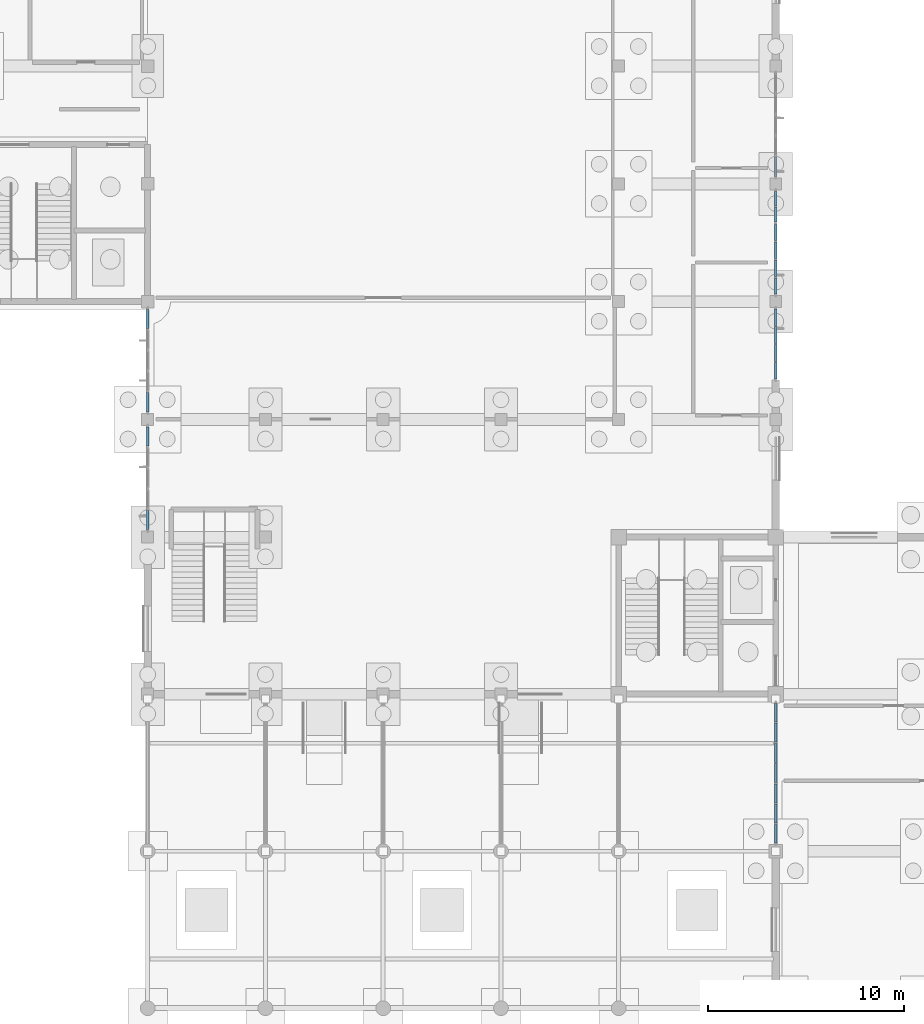
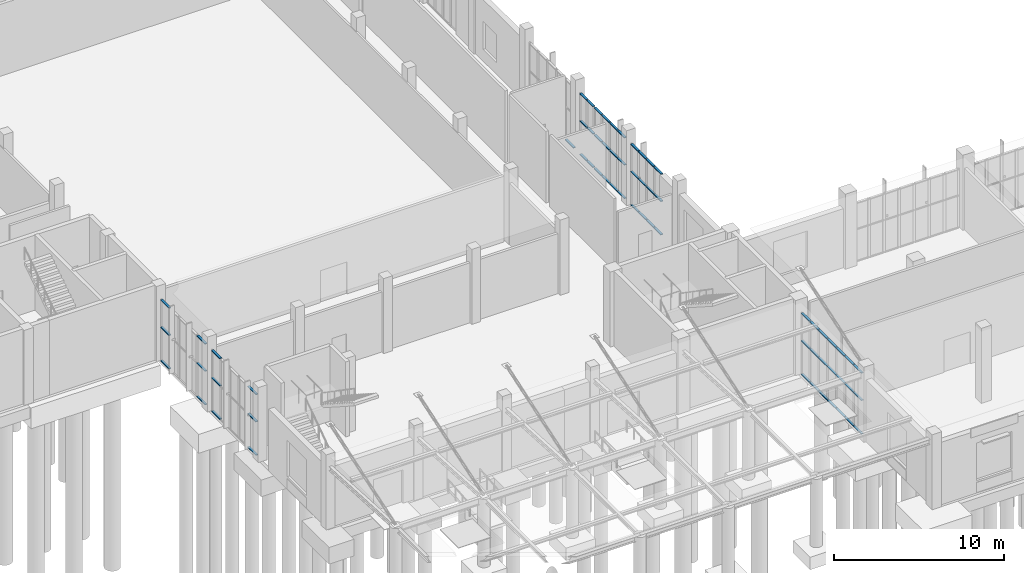
# One storey, part 22 of 69: 64 members, 7 elements without a shape of their own.
"""IFC4 building model written with IfcOpenShell, lengths in metres."""

from ifc_helpers import new_model, si_unit, direction, frame, origin, origin_2d, place, context, subcontext, project, spatial, rectangle, extrude, material, layer, layer_set, material_profile, profile_set, type_object, element, aggregate, save


model = new_model("IFC4")

# Units and contexts
model_context = context("Model", 3, precision=1e-05, world=origin(), true_north=direction((0.0, 1.0)))
body_context = subcontext(model_context, "Body", "Model", "MODEL_VIEW")
ifc_project = project(units=[si_unit("LENGTHUNIT", "METRE"), si_unit("AREAUNIT", "SQUARE_METRE"), si_unit("VOLUMEUNIT", "CUBIC_METRE"), si_unit("PLANEANGLEUNIT", "RADIAN"), si_unit("MASSUNIT", "GRAM", prefix="KILO")], contexts=[model_context])

# Site, building, storey
site_placement = place(None, origin())
site = spatial("IfcSite", under=ifc_project, at=site_placement, CompositionType="ELEMENT")
building_placement = place(site_placement, origin())
building = spatial("IfcBuilding", under=site, at=building_placement, Name="Solvane Community Centre", CompositionType="ELEMENT")
storey_placement = place(building_placement, origin())
storey = spatial("IfcBuildingStorey", under=building, at=storey_placement, Name="L00", CompositionType="ELEMENT", Elevation=0.0)

# Curtain wall, members
ifc_material = material(Name="Anodised bronze aluminium AW-6063 T6", Category="aluminium")
ifc_layer_1 = layer(ifc_material, 0.18994140625)
ifc_layer_set_1 = layer_set([ifc_layer_1], Name="Anodised bronze aluminium AW-6063 T6")
curtain_wall_type_1 = type_object("IfcCurtainWallType", Name="Boulevard Bronze Vision Curtain Wall [72x44dm]", PredefinedType="NOTDEFINED", material=ifc_layer_set_1)
curtain_wall_1_placement = place(storey_placement, origin())
curtain_wall_1 = element("IfcCurtainWall", 1, at=curtain_wall_1_placement, inside=storey, type_object=curtain_wall_type_1, Name="Curtain Wall CW-L00-680_144-002", PredefinedType="NOTDEFINED")
ifc_material_profile = material_profile(ifc_material, rectangle(XDim=0.14990234375, YDim=0.06005859375, at=origin_2d()), Name="CW-T 60x150")
ifc_profile_set = profile_set([ifc_material_profile], Name="Anodised bronze aluminium AW-6063 T6")
member_type = type_object("IfcMemberType", Name="Boulevard Transom 60x150", PredefinedType="USERDEFINED", material=ifc_profile_set)
member_1_placement = place(storey_placement, frame((68.0, 14.425048828125, 0.030029296875), z_axis=(0.0, 1.0, 0.0), x_axis=(-1.0, 0.0, 0.0)))
member_1 = element("IfcMember", 2, at=member_1_placement, type_object=member_type, Name="CW02-72x44 transom 1.1", ObjectType="TRANSOM", PredefinedType="USERDEFINED", context=body_context, shape_type="SweptSolid", body=[
    extrude(rectangle(XDim=0.14990234375, YDim=0.06005859375, at=origin_2d()), origin(), (0.0, 0.0, 1.0), 0.94140625),
])
member_2_placement = place(storey_placement, frame((68.0, 14.425048828125, 2.445068359375), z_axis=(0.0, 1.0, 0.0), x_axis=(-1.0, 0.0, 0.0)))
member_2 = element("IfcMember", 3, at=member_2_placement, type_object=member_type, Name="CW02-72x44 transom 1.2", ObjectType="TRANSOM", PredefinedType="USERDEFINED", context=body_context, shape_type="SweptSolid", body=[
    extrude(rectangle(XDim=0.14990234375, YDim=0.06005859375, at=origin_2d()), origin(), (0.0, 0.0, 1.0), 0.94140625),
])
member_3_placement = place(storey_placement, frame((68.0, 14.425048828125, 4.4150390625), z_axis=(0.0, 1.0, 0.0), x_axis=(-1.0, 0.0, 0.0)))
member_3 = element("IfcMember", 4, at=member_3_placement, type_object=member_type, Name="CW02-72x44 transom 1.3", ObjectType="TRANSOM", PredefinedType="USERDEFINED", context=body_context, shape_type="SweptSolid", body=[
    extrude(rectangle(XDim=0.14990234375, YDim=0.06005859375, at=origin_2d()), origin(), (0.0, 0.0, 1.0), 0.94140625),
])
member_4_placement = place(storey_placement, frame((68.0, 15.426513671875, 0.030029296875), z_axis=(0.0, 1.0, 0.0), x_axis=(-1.0, 0.0, 0.0)))
member_4 = element("IfcMember", 5, at=member_4_placement, type_object=member_type, Name="CW02-72x44 transom 2.1", ObjectType="TRANSOM", PredefinedType="USERDEFINED", context=body_context, shape_type="SweptSolid", body=[
    extrude(rectangle(XDim=0.14990234375, YDim=0.06005859375, at=origin_2d()), origin(), (0.0, 0.0, 1.0), 0.971435546875),
])
member_5_placement = place(storey_placement, frame((68.0, 15.426513671875, 2.445068359375), z_axis=(0.0, 1.0, 0.0), x_axis=(-1.0, 0.0, 0.0)))
member_5 = element("IfcMember", 6, at=member_5_placement, type_object=member_type, Name="CW02-72x44 transom 2.2", ObjectType="TRANSOM", PredefinedType="USERDEFINED", context=body_context, shape_type="SweptSolid", body=[
    extrude(rectangle(XDim=0.14990234375, YDim=0.06005859375, at=origin_2d()), origin(), (0.0, 0.0, 1.0), 0.971435546875),
])
member_6_placement = place(storey_placement, frame((68.0, 15.426513671875, 4.4150390625), z_axis=(0.0, 1.0, 0.0), x_axis=(-1.0, 0.0, 0.0)))
member_6 = element("IfcMember", 7, at=member_6_placement, type_object=member_type, Name="CW02-72x44 transom 2.3", ObjectType="TRANSOM", PredefinedType="USERDEFINED", context=body_context, shape_type="SweptSolid", body=[
    extrude(rectangle(XDim=0.14990234375, YDim=0.06005859375, at=origin_2d()), origin(), (0.0, 0.0, 1.0), 0.971435546875),
])
member_7_placement = place(storey_placement, frame((68.0, 16.457763671875, 0.030029296875), z_axis=(0.0, 1.0, 0.0), x_axis=(-1.0, 0.0, 0.0)))
member_7 = element("IfcMember", 8, at=member_7_placement, type_object=member_type, Name="CW02-72x44 transom 3.1", ObjectType="TRANSOM", PredefinedType="USERDEFINED", context=body_context, shape_type="SweptSolid", body=[
    extrude(rectangle(XDim=0.14990234375, YDim=0.06005859375, at=origin_2d()), origin(), (0.0, 0.0, 1.0), 0.971435546875),
])
member_8_placement = place(storey_placement, frame((68.0, 16.457763671875, 2.445068359375), z_axis=(0.0, 1.0, 0.0), x_axis=(-1.0, 0.0, 0.0)))
member_8 = element("IfcMember", 9, at=member_8_placement, type_object=member_type, Name="CW02-72x44 transom 3.2", ObjectType="TRANSOM", PredefinedType="USERDEFINED", context=body_context, shape_type="SweptSolid", body=[
    extrude(rectangle(XDim=0.14990234375, YDim=0.06005859375, at=origin_2d()), origin(), (0.0, 0.0, 1.0), 0.971435546875),
])
member_9_placement = place(storey_placement, frame((68.0, 16.457763671875, 4.4150390625), z_axis=(0.0, 1.0, 0.0), x_axis=(-1.0, 0.0, 0.0)))
member_9 = element("IfcMember", 10, at=member_9_placement, type_object=member_type, Name="CW02-72x44 transom 3.3", ObjectType="TRANSOM", PredefinedType="USERDEFINED", context=body_context, shape_type="SweptSolid", body=[
    extrude(rectangle(XDim=0.14990234375, YDim=0.06005859375, at=origin_2d()), origin(), (0.0, 0.0, 1.0), 0.971435546875),
])
member_10_placement = place(storey_placement, frame((68.0, 17.4892578125, 0.030029296875), z_axis=(0.0, 1.0, 0.0), x_axis=(-1.0, 0.0, 0.0)))
member_10 = element("IfcMember", 11, at=member_10_placement, type_object=member_type, Name="CW02-72x44 transom 4.1", ObjectType="TRANSOM", PredefinedType="USERDEFINED", context=body_context, shape_type="SweptSolid", body=[
    extrude(rectangle(XDim=0.14990234375, YDim=0.06005859375, at=origin_2d()), origin(), (0.0, 0.0, 1.0), 0.971435546875),
])
member_11_placement = place(storey_placement, frame((68.0, 17.4892578125, 2.445068359375), z_axis=(0.0, 1.0, 0.0), x_axis=(-1.0, 0.0, 0.0)))
member_11 = element("IfcMember", 12, at=member_11_placement, type_object=member_type, Name="CW02-72x44 transom 4.2", ObjectType="TRANSOM", PredefinedType="USERDEFINED", context=body_context, shape_type="SweptSolid", body=[
    extrude(rectangle(XDim=0.14990234375, YDim=0.06005859375, at=origin_2d()), origin(), (0.0, 0.0, 1.0), 0.971435546875),
])
member_12_placement = place(storey_placement, frame((68.0, 17.4892578125, 4.4150390625), z_axis=(0.0, 1.0, 0.0), x_axis=(-1.0, 0.0, 0.0)))
member_12 = element("IfcMember", 13, at=member_12_placement, type_object=member_type, Name="CW02-72x44 transom 4.3", ObjectType="TRANSOM", PredefinedType="USERDEFINED", context=body_context, shape_type="SweptSolid", body=[
    extrude(rectangle(XDim=0.14990234375, YDim=0.06005859375, at=origin_2d()), origin(), (0.0, 0.0, 1.0), 0.971435546875),
])
member_13_placement = place(storey_placement, frame((68.0, 18.520751953125, 0.030029296875), z_axis=(0.0, 1.0, 0.0), x_axis=(-1.0, 0.0, 0.0)))
member_13 = element("IfcMember", 14, at=member_13_placement, type_object=member_type, Name="CW02-72x44 transom 5.1", ObjectType="TRANSOM", PredefinedType="USERDEFINED", context=body_context, shape_type="SweptSolid", body=[
    extrude(rectangle(XDim=0.14990234375, YDim=0.06005859375, at=origin_2d()), origin(), (0.0, 0.0, 1.0), 0.971435546875),
])
member_14_placement = place(storey_placement, frame((68.0, 18.520751953125, 2.445068359375), z_axis=(0.0, 1.0, 0.0), x_axis=(-1.0, 0.0, 0.0)))
member_14 = element("IfcMember", 15, at=member_14_placement, type_object=member_type, Name="CW02-72x44 transom 5.2", ObjectType="TRANSOM", PredefinedType="USERDEFINED", context=body_context, shape_type="SweptSolid", body=[
    extrude(rectangle(XDim=0.14990234375, YDim=0.06005859375, at=origin_2d()), origin(), (0.0, 0.0, 1.0), 0.971435546875),
])
member_15_placement = place(storey_placement, frame((68.0, 18.520751953125, 4.4150390625), z_axis=(0.0, 1.0, 0.0), x_axis=(-1.0, 0.0, 0.0)))
member_15 = element("IfcMember", 16, at=member_15_placement, type_object=member_type, Name="CW02-72x44 transom 5.3", ObjectType="TRANSOM", PredefinedType="USERDEFINED", context=body_context, shape_type="SweptSolid", body=[
    extrude(rectangle(XDim=0.14990234375, YDim=0.06005859375, at=origin_2d()), origin(), (0.0, 0.0, 1.0), 0.971435546875),
])
member_16_placement = place(storey_placement, frame((68.0, 19.55224609375, 0.030029296875), z_axis=(0.0, 1.0, 0.0), x_axis=(-1.0, 0.0, 0.0)))
member_16 = element("IfcMember", 17, at=member_16_placement, type_object=member_type, Name="CW02-72x44 transom 6.1", ObjectType="TRANSOM", PredefinedType="USERDEFINED", context=body_context, shape_type="SweptSolid", body=[
    extrude(rectangle(XDim=0.14990234375, YDim=0.06005859375, at=origin_2d()), origin(), (0.0, 0.0, 1.0), 0.971435546875),
])
member_17_placement = place(storey_placement, frame((68.0, 19.55224609375, 2.445068359375), z_axis=(0.0, 1.0, 0.0), x_axis=(-1.0, 0.0, 0.0)))
member_17 = element("IfcMember", 18, at=member_17_placement, type_object=member_type, Name="CW02-72x44 transom 6.2", ObjectType="TRANSOM", PredefinedType="USERDEFINED", context=body_context, shape_type="SweptSolid", body=[
    extrude(rectangle(XDim=0.14990234375, YDim=0.06005859375, at=origin_2d()), origin(), (0.0, 0.0, 1.0), 0.971435546875),
])
member_18_placement = place(storey_placement, frame((68.0, 19.55224609375, 4.4150390625), z_axis=(0.0, 1.0, 0.0), x_axis=(-1.0, 0.0, 0.0)))
member_18 = element("IfcMember", 19, at=member_18_placement, type_object=member_type, Name="CW02-72x44 transom 6.3", ObjectType="TRANSOM", PredefinedType="USERDEFINED", context=body_context, shape_type="SweptSolid", body=[
    extrude(rectangle(XDim=0.14990234375, YDim=0.06005859375, at=origin_2d()), origin(), (0.0, 0.0, 1.0), 0.971435546875),
])
member_19_placement = place(storey_placement, frame((68.0, 20.58349609375, 0.030029296875), z_axis=(0.0, 1.0, 0.0), x_axis=(-1.0, 0.0, 0.0)))
member_19 = element("IfcMember", 20, at=member_19_placement, type_object=member_type, Name="CW02-72x44 transom 7.1", ObjectType="TRANSOM", PredefinedType="USERDEFINED", context=body_context, shape_type="SweptSolid", body=[
    extrude(rectangle(XDim=0.14990234375, YDim=0.06005859375, at=origin_2d()), origin(), (0.0, 0.0, 1.0), 0.94140625),
])
member_20_placement = place(storey_placement, frame((68.0, 20.58349609375, 2.445068359375), z_axis=(0.0, 1.0, 0.0), x_axis=(-1.0, 0.0, 0.0)))
member_20 = element("IfcMember", 21, at=member_20_placement, type_object=member_type, Name="CW02-72x44 transom 7.2", ObjectType="TRANSOM", PredefinedType="USERDEFINED", context=body_context, shape_type="SweptSolid", body=[
    extrude(rectangle(XDim=0.14990234375, YDim=0.06005859375, at=origin_2d()), origin(), (0.0, 0.0, 1.0), 0.94140625),
])
member_21_placement = place(storey_placement, frame((68.0, 20.58349609375, 4.4150390625), z_axis=(0.0, 1.0, 0.0), x_axis=(-1.0, 0.0, 0.0)))
member_21 = element("IfcMember", 22, at=member_21_placement, type_object=member_type, Name="CW02-72x44 transom 7.3", ObjectType="TRANSOM", PredefinedType="USERDEFINED", context=body_context, shape_type="SweptSolid", body=[
    extrude(rectangle(XDim=0.14990234375, YDim=0.06005859375, at=origin_2d()), origin(), (0.0, 0.0, 1.0), 0.94140625),
])
aggregate(curtain_wall_1, [member_1, member_2, member_3, member_4, member_5, member_6, member_7, member_8, member_9, member_10, member_11, member_12, member_13, member_14, member_15, member_16, member_17, member_18, member_19, member_20, member_21])

ifc_layer_2 = layer(ifc_material, 0.18994140625)
ifc_layer_set_2 = layer_set([ifc_layer_2], Name="Anodised bronze aluminium AW-6063 T6")
curtain_wall_type_2 = type_object("IfcCurtainWallType", Name="Boulevard Bronze Vision Curtain Wall [54x44dm]", PredefinedType="NOTDEFINED", material=ifc_layer_set_2)
curtain_wall_2_placement = place(storey_placement, origin())
curtain_wall_2 = element("IfcCurtainWall", 23, at=curtain_wall_2_placement, inside=storey, type_object=curtain_wall_type_2, Name="Curtain Wall CW-L00-360_303-003", PredefinedType="NOTDEFINED")
member_22_placement = place(storey_placement, frame((36.0, 30.3798828125, 0.030029296875), z_axis=(0.0, 1.0, 0.0), x_axis=(-1.0, 0.0, 0.0)))
member_22 = element("IfcMember", 24, at=member_22_placement, type_object=member_type, Name="CW02-54x44 transom 1.1", ObjectType="TRANSOM", PredefinedType="USERDEFINED", context=body_context, shape_type="SweptSolid", body=[
    extrude(rectangle(XDim=0.14990234375, YDim=0.06005859375, at=origin_2d()), origin(), (0.0, 0.0, 1.0), 0.982177734375),
])
member_23_placement = place(storey_placement, frame((36.0, 30.3798828125, 2.43408203125), z_axis=(0.0, 1.0, 0.0), x_axis=(-1.0, 0.0, 0.0)))
member_23 = element("IfcMember", 25, at=member_23_placement, type_object=member_type, Name="CW02-54x44 transom 1.2", ObjectType="TRANSOM", PredefinedType="USERDEFINED", context=body_context, shape_type="SweptSolid", body=[
    extrude(rectangle(XDim=0.14990234375, YDim=0.06005859375, at=origin_2d()), origin(), (0.0, 0.0, 1.0), 0.982177734375),
])
member_24_placement = place(storey_placement, frame((36.0, 30.3798828125, 4.39501953125), z_axis=(0.0, 1.0, 0.0), x_axis=(-1.0, 0.0, 0.0)))
member_24 = element("IfcMember", 26, at=member_24_placement, type_object=member_type, Name="CW02-54x44 transom 1.3", ObjectType="TRANSOM", PredefinedType="USERDEFINED", context=body_context, shape_type="SweptSolid", body=[
    extrude(rectangle(XDim=0.14990234375, YDim=0.06005859375, at=origin_2d()), origin(), (0.0, 0.0, 1.0), 0.982177734375),
])
member_25_placement = place(storey_placement, frame((36.0, 34.637939453125, 0.030029296875), z_axis=(0.0, 1.0, 0.0), x_axis=(-1.0, 0.0, 0.0)))
member_25 = element("IfcMember", 27, at=member_25_placement, type_object=member_type, Name="CW02-54x44 transom 5.1", ObjectType="TRANSOM", PredefinedType="USERDEFINED", context=body_context, shape_type="SweptSolid", body=[
    extrude(rectangle(XDim=0.14990234375, YDim=0.06005859375, at=origin_2d()), origin(), (0.0, 0.0, 1.0), 0.982177734375),
])
member_26_placement = place(storey_placement, frame((36.0, 34.637939453125, 2.43408203125), z_axis=(0.0, 1.0, 0.0), x_axis=(-1.0, 0.0, 0.0)))
member_26 = element("IfcMember", 28, at=member_26_placement, type_object=member_type, Name="CW02-54x44 transom 5.2", ObjectType="TRANSOM", PredefinedType="USERDEFINED", context=body_context, shape_type="SweptSolid", body=[
    extrude(rectangle(XDim=0.14990234375, YDim=0.06005859375, at=origin_2d()), origin(), (0.0, 0.0, 1.0), 0.982177734375),
])
member_27_placement = place(storey_placement, frame((36.0, 34.637939453125, 4.39501953125), z_axis=(0.0, 1.0, 0.0), x_axis=(-1.0, 0.0, 0.0)))
member_27 = element("IfcMember", 29, at=member_27_placement, type_object=member_type, Name="CW02-54x44 transom 5.3", ObjectType="TRANSOM", PredefinedType="USERDEFINED", context=body_context, shape_type="SweptSolid", body=[
    extrude(rectangle(XDim=0.14990234375, YDim=0.06005859375, at=origin_2d()), origin(), (0.0, 0.0, 1.0), 0.982177734375),
])
aggregate(curtain_wall_2, [member_22, member_23, member_24, member_25, member_26, member_27])

curtain_wall_3_placement = place(storey_placement, origin())
curtain_wall_3 = element("IfcCurtainWall", 30, at=curtain_wall_3_placement, inside=storey, type_object=curtain_wall_type_2, Name="Curtain Wall CW-L00-360_363-004", PredefinedType="NOTDEFINED")
member_28_placement = place(storey_placement, frame((36.0, 36.3798828125, 0.030029296875), z_axis=(0.0, 1.0, 0.0), x_axis=(-1.0, 0.0, 0.0)))
member_28 = element("IfcMember", 31, at=member_28_placement, type_object=member_type, Name="CW02-54x44 transom 1.1", ObjectType="TRANSOM", PredefinedType="USERDEFINED", context=body_context, shape_type="SweptSolid", body=[
    extrude(rectangle(XDim=0.14990234375, YDim=0.06005859375, at=origin_2d()), origin(), (0.0, 0.0, 1.0), 0.980224609375),
])
member_29_placement = place(storey_placement, frame((36.0, 36.3798828125, 2.43408203125), z_axis=(0.0, 1.0, 0.0), x_axis=(-1.0, 0.0, 0.0)))
member_29 = element("IfcMember", 32, at=member_29_placement, type_object=member_type, Name="CW02-54x44 transom 1.2", ObjectType="TRANSOM", PredefinedType="USERDEFINED", context=body_context, shape_type="SweptSolid", body=[
    extrude(rectangle(XDim=0.14990234375, YDim=0.06005859375, at=origin_2d()), origin(), (0.0, 0.0, 1.0), 0.980224609375),
])
member_30_placement = place(storey_placement, frame((36.0, 36.3798828125, 4.39501953125), z_axis=(0.0, 1.0, 0.0), x_axis=(-1.0, 0.0, 0.0)))
member_30 = element("IfcMember", 33, at=member_30_placement, type_object=member_type, Name="CW02-54x44 transom 1.3", ObjectType="TRANSOM", PredefinedType="USERDEFINED", context=body_context, shape_type="SweptSolid", body=[
    extrude(rectangle(XDim=0.14990234375, YDim=0.06005859375, at=origin_2d()), origin(), (0.0, 0.0, 1.0), 0.980224609375),
])
member_31_placement = place(storey_placement, frame((36.0, 40.6298828125, 0.030029296875), z_axis=(0.0, 1.0, 0.0), x_axis=(-1.0, 0.0, 0.0)))
member_31 = element("IfcMember", 34, at=member_31_placement, type_object=member_type, Name="CW02-54x44 transom 5.1", ObjectType="TRANSOM", PredefinedType="USERDEFINED", context=body_context, shape_type="SweptSolid", body=[
    extrude(rectangle(XDim=0.14990234375, YDim=0.06005859375, at=origin_2d()), origin(), (0.0, 0.0, 1.0), 0.980224609375),
])
member_32_placement = place(storey_placement, frame((36.0, 40.6298828125, 2.43408203125), z_axis=(0.0, 1.0, 0.0), x_axis=(-1.0, 0.0, 0.0)))
member_32 = element("IfcMember", 35, at=member_32_placement, type_object=member_type, Name="CW02-54x44 transom 5.2", ObjectType="TRANSOM", PredefinedType="USERDEFINED", context=body_context, shape_type="SweptSolid", body=[
    extrude(rectangle(XDim=0.14990234375, YDim=0.06005859375, at=origin_2d()), origin(), (0.0, 0.0, 1.0), 0.980224609375),
])
member_33_placement = place(storey_placement, frame((36.0, 40.6298828125, 4.39501953125), z_axis=(0.0, 1.0, 0.0), x_axis=(-1.0, 0.0, 0.0)))
member_33 = element("IfcMember", 36, at=member_33_placement, type_object=member_type, Name="CW02-54x44 transom 5.3", ObjectType="TRANSOM", PredefinedType="USERDEFINED", context=body_context, shape_type="SweptSolid", body=[
    extrude(rectangle(XDim=0.14990234375, YDim=0.06005859375, at=origin_2d()), origin(), (0.0, 0.0, 1.0), 0.980224609375),
])
aggregate(curtain_wall_3, [member_28, member_29, member_30, member_31, member_32, member_33])

# Curtain wall, member
curtain_wall_4_placement = place(storey_placement, origin())
curtain_wall_4 = element("IfcCurtainWall", 37, at=curtain_wall_4_placement, inside=storey, type_object=curtain_wall_type_2, Name="Curtain Wall CW-L00-680_537-019", PredefinedType="NOTDEFINED")
member_34_placement = place(storey_placement, frame((68.0, 49.362060546875, 0.030029296875), z_axis=(0.0, -1.0, 0.0), x_axis=(1.0, 0.0, 0.0)))
member_34 = element("IfcMember", 38, at=member_34_placement, type_object=member_type, Name="CW02-54x44 transom 5.1", ObjectType="TRANSOM", PredefinedType="USERDEFINED", context=body_context, shape_type="SweptSolid", body=[
    extrude(rectangle(XDim=0.14990234375, YDim=0.06005859375, at=origin_2d()), origin(), (0.0, 0.0, 1.0), 0.982177734375),
])
aggregate(curtain_wall_4, [member_34])

# Curtain wall, members
ifc_layer_3 = layer(ifc_material, 0.18994140625)
ifc_layer_set_3 = layer_set([ifc_layer_3], Name="Anodised bronze aluminium AW-6063 T6")
curtain_wall_type_3 = type_object("IfcCurtainWallType", Name="Boulevard Bronze Vision Curtain Wall [17x44dm]", PredefinedType="NOTDEFINED", material=ifc_layer_set_3)
curtain_wall_5_placement = place(storey_placement, origin())
curtain_wall_5 = element("IfcCurtainWall", 39, at=curtain_wall_5_placement, inside=storey, type_object=curtain_wall_type_3, Name="Curtain Wall CW-L00-680_477-020", PredefinedType="NOTDEFINED")
member_35_placement = place(storey_placement, frame((68.0, 47.6201171875, 0.030029296875), z_axis=(0.0, -1.0, 0.0), x_axis=(1.0, 0.0, 0.0)))
member_35 = element("IfcMember", 40, at=member_35_placement, type_object=member_type, Name="CW02-17x44 transom 1.1", ObjectType="TRANSOM", PredefinedType="USERDEFINED", context=body_context, shape_type="SweptSolid", body=[
    extrude(rectangle(XDim=0.14990234375, YDim=0.06005859375, at=origin_2d()), origin(), (0.0, 0.0, 1.0), 0.75),
])
member_36_placement = place(storey_placement, frame((68.0, 47.6201171875, 2.43408203125), z_axis=(0.0, -1.0, 0.0), x_axis=(1.0, 0.0, 0.0)))
member_36 = element("IfcMember", 41, at=member_36_placement, type_object=member_type, Name="CW02-17x44 transom 1.2", ObjectType="TRANSOM", PredefinedType="USERDEFINED", context=body_context, shape_type="SweptSolid", body=[
    extrude(rectangle(XDim=0.14990234375, YDim=0.06005859375, at=origin_2d()), origin(), (0.0, 0.0, 1.0), 0.75),
])
member_37_placement = place(storey_placement, frame((68.0, 47.6201171875, 4.39501953125), z_axis=(0.0, -1.0, 0.0), x_axis=(1.0, 0.0, 0.0)))
member_37 = element("IfcMember", 42, at=member_37_placement, type_object=member_type, Name="CW02-17x44 transom 1.3", ObjectType="TRANSOM", PredefinedType="USERDEFINED", context=body_context, shape_type="SweptSolid", body=[
    extrude(rectangle(XDim=0.14990234375, YDim=0.06005859375, at=origin_2d()), origin(), (0.0, 0.0, 1.0), 0.75),
])
member_38_placement = place(storey_placement, frame((68.0, 46.81005859375, 0.030029296875), z_axis=(0.0, -1.0, 0.0), x_axis=(1.0, 0.0, 0.0)))
member_38 = element("IfcMember", 43, at=member_38_placement, type_object=member_type, Name="CW02-17x44 transom 2.1", ObjectType="TRANSOM", PredefinedType="USERDEFINED", context=body_context, shape_type="SweptSolid", body=[
    extrude(rectangle(XDim=0.14990234375, YDim=0.06005859375, at=origin_2d()), origin(), (0.0, 0.0, 1.0), 0.75),
])
member_39_placement = place(storey_placement, frame((68.0, 46.81005859375, 2.43408203125), z_axis=(0.0, -1.0, 0.0), x_axis=(1.0, 0.0, 0.0)))
member_39 = element("IfcMember", 44, at=member_39_placement, type_object=member_type, Name="CW02-17x44 transom 2.2", ObjectType="TRANSOM", PredefinedType="USERDEFINED", context=body_context, shape_type="SweptSolid", body=[
    extrude(rectangle(XDim=0.14990234375, YDim=0.06005859375, at=origin_2d()), origin(), (0.0, 0.0, 1.0), 0.75),
])
member_40_placement = place(storey_placement, frame((68.0, 46.81005859375, 4.39501953125), z_axis=(0.0, -1.0, 0.0), x_axis=(1.0, 0.0, 0.0)))
member_40 = element("IfcMember", 45, at=member_40_placement, type_object=member_type, Name="CW02-17x44 transom 2.3", ObjectType="TRANSOM", PredefinedType="USERDEFINED", context=body_context, shape_type="SweptSolid", body=[
    extrude(rectangle(XDim=0.14990234375, YDim=0.06005859375, at=origin_2d()), origin(), (0.0, 0.0, 1.0), 0.75),
])
aggregate(curtain_wall_5, [member_35, member_36, member_37, member_38, member_39, member_40])

ifc_layer_4 = layer(ifc_material, 0.18994140625)
ifc_layer_set_4 = layer_set([ifc_layer_4], Name="Anodised bronze aluminium AW-6063 T6")
curtain_wall_type_4 = type_object("IfcCurtainWallType", Name="Boulevard Bronze Vision Curtain Wall [37x44dm]", PredefinedType="NOTDEFINED", material=ifc_layer_set_4)
curtain_wall_6_placement = place(storey_placement, origin())
curtain_wall_6 = element("IfcCurtainWall", 46, at=curtain_wall_6_placement, inside=storey, type_object=curtain_wall_type_4, Name="Curtain Wall CW-L00-680_460-021", PredefinedType="NOTDEFINED")
member_41_placement = place(storey_placement, frame((68.0, 45.93994140625, 0.030029296875), z_axis=(0.0, -1.0, 0.0), x_axis=(1.0, 0.0, 0.0)))
member_41 = element("IfcMember", 47, at=member_41_placement, type_object=member_type, Name="CW02-37x44 transom 1.1", ObjectType="TRANSOM", PredefinedType="USERDEFINED", context=body_context, shape_type="SweptSolid", body=[
    extrude(rectangle(XDim=0.14990234375, YDim=0.06005859375, at=origin_2d()), origin(), (0.0, 0.0, 1.0), 0.829833984375),
])
member_42_placement = place(storey_placement, frame((68.0, 45.93994140625, 2.43408203125), z_axis=(0.0, -1.0, 0.0), x_axis=(1.0, 0.0, 0.0)))
member_42 = element("IfcMember", 48, at=member_42_placement, type_object=member_type, Name="CW02-37x44 transom 1.2", ObjectType="TRANSOM", PredefinedType="USERDEFINED", context=body_context, shape_type="SweptSolid", body=[
    extrude(rectangle(XDim=0.14990234375, YDim=0.06005859375, at=origin_2d()), origin(), (0.0, 0.0, 1.0), 0.829833984375),
])
member_43_placement = place(storey_placement, frame((68.0, 45.93994140625, 4.39501953125), z_axis=(0.0, -1.0, 0.0), x_axis=(1.0, 0.0, 0.0)))
member_43 = element("IfcMember", 49, at=member_43_placement, type_object=member_type, Name="CW02-37x44 transom 1.3", ObjectType="TRANSOM", PredefinedType="USERDEFINED", context=body_context, shape_type="SweptSolid", body=[
    extrude(rectangle(XDim=0.14990234375, YDim=0.06005859375, at=origin_2d()), origin(), (0.0, 0.0, 1.0), 0.829833984375),
])
member_44_placement = place(storey_placement, frame((68.0, 45.050048828125, 0.030029296875), z_axis=(0.0, -1.0, 0.0), x_axis=(1.0, 0.0, 0.0)))
member_44 = element("IfcMember", 50, at=member_44_placement, type_object=member_type, Name="CW02-37x44 transom 2.1", ObjectType="TRANSOM", PredefinedType="USERDEFINED", context=body_context, shape_type="SweptSolid", body=[
    extrude(rectangle(XDim=0.14990234375, YDim=0.06005859375, at=origin_2d()), origin(), (0.0, 0.0, 1.0), 0.860107421875),
])
member_45_placement = place(storey_placement, frame((68.0, 45.050048828125, 2.43408203125), z_axis=(0.0, -1.0, 0.0), x_axis=(1.0, 0.0, 0.0)))
member_45 = element("IfcMember", 51, at=member_45_placement, type_object=member_type, Name="CW02-37x44 transom 2.2", ObjectType="TRANSOM", PredefinedType="USERDEFINED", context=body_context, shape_type="SweptSolid", body=[
    extrude(rectangle(XDim=0.14990234375, YDim=0.06005859375, at=origin_2d()), origin(), (0.0, 0.0, 1.0), 0.860107421875),
])
member_46_placement = place(storey_placement, frame((68.0, 45.050048828125, 4.39501953125), z_axis=(0.0, -1.0, 0.0), x_axis=(1.0, 0.0, 0.0)))
member_46 = element("IfcMember", 52, at=member_46_placement, type_object=member_type, Name="CW02-37x44 transom 2.3", ObjectType="TRANSOM", PredefinedType="USERDEFINED", context=body_context, shape_type="SweptSolid", body=[
    extrude(rectangle(XDim=0.14990234375, YDim=0.06005859375, at=origin_2d()), origin(), (0.0, 0.0, 1.0), 0.860107421875),
])
member_47_placement = place(storey_placement, frame((68.0, 44.1298828125, 0.030029296875), z_axis=(0.0, -1.0, 0.0), x_axis=(1.0, 0.0, 0.0)))
member_47 = element("IfcMember", 53, at=member_47_placement, type_object=member_type, Name="CW02-37x44 transom 3.1", ObjectType="TRANSOM", PredefinedType="USERDEFINED", context=body_context, shape_type="SweptSolid", body=[
    extrude(rectangle(XDim=0.14990234375, YDim=0.06005859375, at=origin_2d()), origin(), (0.0, 0.0, 1.0), 0.85986328125),
])
member_48_placement = place(storey_placement, frame((68.0, 44.1298828125, 2.43408203125), z_axis=(0.0, -1.0, 0.0), x_axis=(1.0, 0.0, 0.0)))
member_48 = element("IfcMember", 54, at=member_48_placement, type_object=member_type, Name="CW02-37x44 transom 3.2", ObjectType="TRANSOM", PredefinedType="USERDEFINED", context=body_context, shape_type="SweptSolid", body=[
    extrude(rectangle(XDim=0.14990234375, YDim=0.06005859375, at=origin_2d()), origin(), (0.0, 0.0, 1.0), 0.85986328125),
])
member_49_placement = place(storey_placement, frame((68.0, 44.1298828125, 4.39501953125), z_axis=(0.0, -1.0, 0.0), x_axis=(1.0, 0.0, 0.0)))
member_49 = element("IfcMember", 55, at=member_49_placement, type_object=member_type, Name="CW02-37x44 transom 3.3", ObjectType="TRANSOM", PredefinedType="USERDEFINED", context=body_context, shape_type="SweptSolid", body=[
    extrude(rectangle(XDim=0.14990234375, YDim=0.06005859375, at=origin_2d()), origin(), (0.0, 0.0, 1.0), 0.85986328125),
])
member_50_placement = place(storey_placement, frame((68.0, 43.2099609375, 0.030029296875), z_axis=(0.0, -1.0, 0.0), x_axis=(1.0, 0.0, 0.0)))
member_50 = element("IfcMember", 56, at=member_50_placement, type_object=member_type, Name="CW02-37x44 transom 4.1", ObjectType="TRANSOM", PredefinedType="USERDEFINED", context=body_context, shape_type="SweptSolid", body=[
    extrude(rectangle(XDim=0.14990234375, YDim=0.06005859375, at=origin_2d()), origin(), (0.0, 0.0, 1.0), 0.830078125),
])
member_51_placement = place(storey_placement, frame((68.0, 43.2099609375, 2.43408203125), z_axis=(0.0, -1.0, 0.0), x_axis=(1.0, 0.0, 0.0)))
member_51 = element("IfcMember", 57, at=member_51_placement, type_object=member_type, Name="CW02-37x44 transom 4.2", ObjectType="TRANSOM", PredefinedType="USERDEFINED", context=body_context, shape_type="SweptSolid", body=[
    extrude(rectangle(XDim=0.14990234375, YDim=0.06005859375, at=origin_2d()), origin(), (0.0, 0.0, 1.0), 0.830078125),
])
member_52_placement = place(storey_placement, frame((68.0, 43.2099609375, 4.39501953125), z_axis=(0.0, -1.0, 0.0), x_axis=(1.0, 0.0, 0.0)))
member_52 = element("IfcMember", 58, at=member_52_placement, type_object=member_type, Name="CW02-37x44 transom 4.3", ObjectType="TRANSOM", PredefinedType="USERDEFINED", context=body_context, shape_type="SweptSolid", body=[
    extrude(rectangle(XDim=0.14990234375, YDim=0.06005859375, at=origin_2d()), origin(), (0.0, 0.0, 1.0), 0.830078125),
])
aggregate(curtain_wall_6, [member_41, member_42, member_43, member_44, member_45, member_46, member_47, member_48, member_49, member_50, member_51, member_52])

curtain_wall_7_placement = place(storey_placement, origin())
curtain_wall_7 = element("IfcCurtainWall", 59, at=curtain_wall_7_placement, inside=storey, type_object=curtain_wall_type_4, Name="Curtain Wall CW-L00-680_417-022", PredefinedType="NOTDEFINED")
member_53_placement = place(storey_placement, frame((68.0, 41.6201171875, 0.030029296875), z_axis=(0.0, -1.0, 0.0), x_axis=(1.0, 0.0, 0.0)))
member_53 = element("IfcMember", 60, at=member_53_placement, type_object=member_type, Name="CW02-37x44 transom 1.1", ObjectType="TRANSOM", PredefinedType="USERDEFINED", context=body_context, shape_type="SweptSolid", body=[
    extrude(rectangle(XDim=0.14990234375, YDim=0.06005859375, at=origin_2d()), origin(), (0.0, 0.0, 1.0), 0.830078125),
])
member_54_placement = place(storey_placement, frame((68.0, 41.6201171875, 2.43408203125), z_axis=(0.0, -1.0, 0.0), x_axis=(1.0, 0.0, 0.0)))
member_54 = element("IfcMember", 61, at=member_54_placement, type_object=member_type, Name="CW02-37x44 transom 1.2", ObjectType="TRANSOM", PredefinedType="USERDEFINED", context=body_context, shape_type="SweptSolid", body=[
    extrude(rectangle(XDim=0.14990234375, YDim=0.06005859375, at=origin_2d()), origin(), (0.0, 0.0, 1.0), 0.830078125),
])
member_55_placement = place(storey_placement, frame((68.0, 41.6201171875, 4.39501953125), z_axis=(0.0, -1.0, 0.0), x_axis=(1.0, 0.0, 0.0)))
member_55 = element("IfcMember", 62, at=member_55_placement, type_object=member_type, Name="CW02-37x44 transom 1.3", ObjectType="TRANSOM", PredefinedType="USERDEFINED", context=body_context, shape_type="SweptSolid", body=[
    extrude(rectangle(XDim=0.14990234375, YDim=0.06005859375, at=origin_2d()), origin(), (0.0, 0.0, 1.0), 0.830078125),
])
member_56_placement = place(storey_placement, frame((68.0, 40.72998046875, 0.030029296875), z_axis=(0.0, -1.0, 0.0), x_axis=(1.0, 0.0, 0.0)))
member_56 = element("IfcMember", 63, at=member_56_placement, type_object=member_type, Name="CW02-37x44 transom 2.1", ObjectType="TRANSOM", PredefinedType="USERDEFINED", context=body_context, shape_type="SweptSolid", body=[
    extrude(rectangle(XDim=0.14990234375, YDim=0.06005859375, at=origin_2d()), origin(), (0.0, 0.0, 1.0), 0.85986328125),
])
member_57_placement = place(storey_placement, frame((68.0, 40.72998046875, 2.43408203125), z_axis=(0.0, -1.0, 0.0), x_axis=(1.0, 0.0, 0.0)))
member_57 = element("IfcMember", 64, at=member_57_placement, type_object=member_type, Name="CW02-37x44 transom 2.2", ObjectType="TRANSOM", PredefinedType="USERDEFINED", context=body_context, shape_type="SweptSolid", body=[
    extrude(rectangle(XDim=0.14990234375, YDim=0.06005859375, at=origin_2d()), origin(), (0.0, 0.0, 1.0), 0.85986328125),
])
member_58_placement = place(storey_placement, frame((68.0, 40.72998046875, 4.39501953125), z_axis=(0.0, -1.0, 0.0), x_axis=(1.0, 0.0, 0.0)))
member_58 = element("IfcMember", 65, at=member_58_placement, type_object=member_type, Name="CW02-37x44 transom 2.3", ObjectType="TRANSOM", PredefinedType="USERDEFINED", context=body_context, shape_type="SweptSolid", body=[
    extrude(rectangle(XDim=0.14990234375, YDim=0.06005859375, at=origin_2d()), origin(), (0.0, 0.0, 1.0), 0.85986328125),
])
member_59_placement = place(storey_placement, frame((68.0, 39.81005859375, 0.030029296875), z_axis=(0.0, -1.0, 0.0), x_axis=(1.0, 0.0, 0.0)))
member_59 = element("IfcMember", 66, at=member_59_placement, type_object=member_type, Name="CW02-37x44 transom 3.1", ObjectType="TRANSOM", PredefinedType="USERDEFINED", context=body_context, shape_type="SweptSolid", body=[
    extrude(rectangle(XDim=0.14990234375, YDim=0.06005859375, at=origin_2d()), origin(), (0.0, 0.0, 1.0), 0.860107421875),
])
member_60_placement = place(storey_placement, frame((68.0, 39.81005859375, 2.43408203125), z_axis=(0.0, -1.0, 0.0), x_axis=(1.0, 0.0, 0.0)))
member_60 = element("IfcMember", 67, at=member_60_placement, type_object=member_type, Name="CW02-37x44 transom 3.2", ObjectType="TRANSOM", PredefinedType="USERDEFINED", context=body_context, shape_type="SweptSolid", body=[
    extrude(rectangle(XDim=0.14990234375, YDim=0.06005859375, at=origin_2d()), origin(), (0.0, 0.0, 1.0), 0.860107421875),
])
member_61_placement = place(storey_placement, frame((68.0, 39.81005859375, 4.39501953125), z_axis=(0.0, -1.0, 0.0), x_axis=(1.0, 0.0, 0.0)))
member_61 = element("IfcMember", 68, at=member_61_placement, type_object=member_type, Name="CW02-37x44 transom 3.3", ObjectType="TRANSOM", PredefinedType="USERDEFINED", context=body_context, shape_type="SweptSolid", body=[
    extrude(rectangle(XDim=0.14990234375, YDim=0.06005859375, at=origin_2d()), origin(), (0.0, 0.0, 1.0), 0.860107421875),
])
member_62_placement = place(storey_placement, frame((68.0, 38.889892578125, 0.030029296875), z_axis=(0.0, -1.0, 0.0), x_axis=(1.0, 0.0, 0.0)))
member_62 = element("IfcMember", 69, at=member_62_placement, type_object=member_type, Name="CW02-37x44 transom 4.1", ObjectType="TRANSOM", PredefinedType="USERDEFINED", context=body_context, shape_type="SweptSolid", body=[
    extrude(rectangle(XDim=0.14990234375, YDim=0.06005859375, at=origin_2d()), origin(), (0.0, 0.0, 1.0), 0.829833984375),
])
member_63_placement = place(storey_placement, frame((68.0, 38.889892578125, 2.43408203125), z_axis=(0.0, -1.0, 0.0), x_axis=(1.0, 0.0, 0.0)))
member_63 = element("IfcMember", 70, at=member_63_placement, type_object=member_type, Name="CW02-37x44 transom 4.2", ObjectType="TRANSOM", PredefinedType="USERDEFINED", context=body_context, shape_type="SweptSolid", body=[
    extrude(rectangle(XDim=0.14990234375, YDim=0.06005859375, at=origin_2d()), origin(), (0.0, 0.0, 1.0), 0.829833984375),
])
member_64_placement = place(storey_placement, frame((68.0, 38.889892578125, 4.39501953125), z_axis=(0.0, -1.0, 0.0), x_axis=(1.0, 0.0, 0.0)))
member_64 = element("IfcMember", 71, at=member_64_placement, type_object=member_type, Name="CW02-37x44 transom 4.3", ObjectType="TRANSOM", PredefinedType="USERDEFINED", context=body_context, shape_type="SweptSolid", body=[
    extrude(rectangle(XDim=0.14990234375, YDim=0.06005859375, at=origin_2d()), origin(), (0.0, 0.0, 1.0), 0.829833984375),
])
aggregate(curtain_wall_7, [member_53, member_54, member_55, member_56, member_57, member_58, member_59, member_60, member_61, member_62, member_63, member_64])

save(model, "model.ifc")
